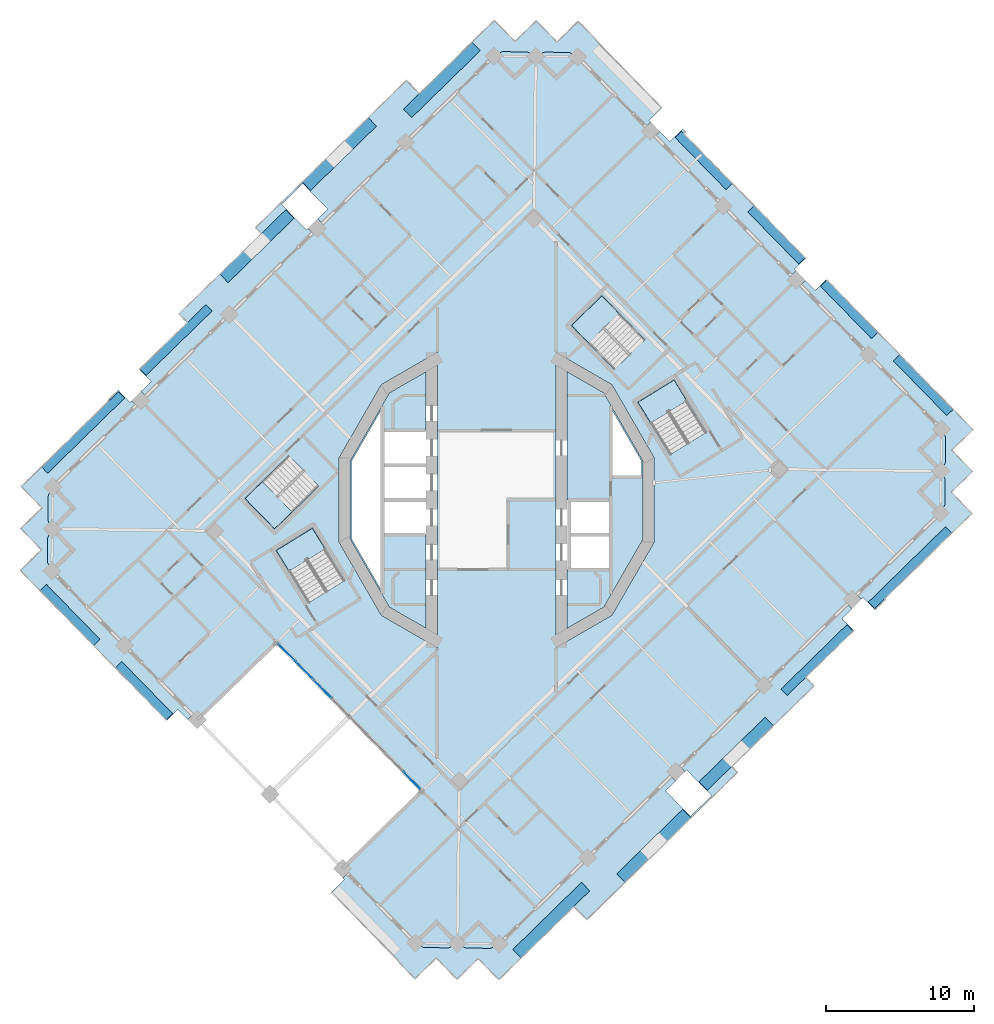
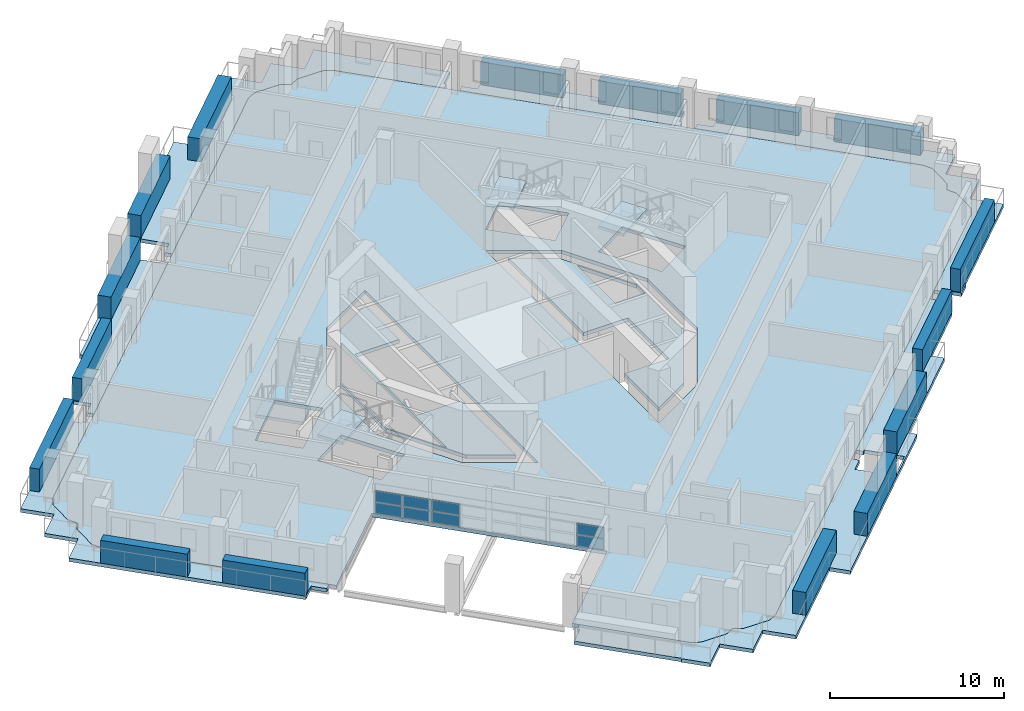
# One storey, part 5 of 19: 24 plates, 12 slabs, 5 elements without a shape of their own.
"""IFC4 building model written with IfcOpenShell, lengths in metres."""

from ifc_helpers import new_model, si_unit, direction, frame, origin, origin_2d, place, context, subcontext, project, spatial, polyline, rectangle, outline, extrude, material, layer, layer_set, type_object, element, aggregate, save


model = new_model("IFC4")

# Units and contexts
model_context = context("Model", 3, precision=1e-05, world=origin(), true_north=direction((0.0, 1.0)))
body_context = subcontext(model_context, "Body", "Model", "MODEL_VIEW")
ifc_project = project(units=[si_unit("LENGTHUNIT", "METRE"), si_unit("AREAUNIT", "SQUARE_METRE"), si_unit("VOLUMEUNIT", "CUBIC_METRE"), si_unit("PLANEANGLEUNIT", "RADIAN"), si_unit("MASSUNIT", "GRAM", prefix="KILO")], contexts=[model_context])

# Site, building, storey
site_placement = place(None, origin())
site = spatial("IfcSite", under=ifc_project, at=site_placement, CompositionType="ELEMENT")
building_placement = place(site_placement, origin())
building = spatial("IfcBuilding", under=site, at=building_placement, Name="Cantera Rosa Tower", CompositionType="ELEMENT")
storey_placement = place(building_placement, frame((0.0, 0.0, 241.39990234375)))
storey = spatial("IfcBuildingStorey", under=building, at=storey_placement, Name="L53", CompositionType="ELEMENT", Elevation=241.39990234375)

# Slabs
ifc_material_1 = material(Name="Concrete C35/45", Category="concrete")
ifc_layer_1 = layer(ifc_material_1, 0.25)
ifc_layer_set_1 = layer_set([ifc_layer_1], Name="COMPOSITE FLOOR SLAB 250 C35/45")
slab_type_1 = type_object("IfcSlabType", Name="COMPOSITE FLOOR SLAB 250 C35/45", PredefinedType="FLOOR", material=ifc_layer_set_1)
slab_1_placement = place(storey_placement, frame((0.0, 0.0, -0.25)))
element("IfcSlab", 1, at=slab_1_placement, inside=storey, type_object=slab_type_1, Name="SLAB L53 floor 1", PredefinedType="FLOOR", context=body_context, shape_type="SweptSolid", body=[
    extrude(outline(polyline([(-4.75, -2.35009765625), (-4.75, -8.660400390625), (-7.22900390625, -7.22900390625), (-9.875244140625, -2.64599609375), (-9.875244140625, 2.64599609375), (-7.22900390625, 7.22900390625), (-4.75, 8.660400390625), (-4.75, 4.699951171875), (-7.699951171875, 4.699951171875), (-7.699951171875, 2.35009765625), (-7.699951171875, 0.0), (-7.699951171875, -2.35009765625), (-4.75, -2.35009765625)]), holes=[polyline([(-7.800048828125, 6.040283203125), (-9.775146484375, 2.619384765625), (-9.775146484375, -2.619384765625), (-7.800048828125, -6.040283203125), (-7.800048828125, 6.040283203125)])]), origin(), (0.0, 0.0, 1.0), 0.25),
])
slab_2_placement = place(storey_placement, frame((0.0, 0.0, -0.25)))
element("IfcSlab", 2, at=slab_2_placement, inside=storey, type_object=slab_type_1, Name="SLAB L53 floor 2", PredefinedType="FLOOR", context=body_context, shape_type="SweptSolid", body=[
    extrude(outline(polyline([(-2.1279296875, -30.200439453125), (-2.154541015625, -30.1875), (-2.646484375, -29.917236328125), (-3.144287109375, -30.176025390625), (-3.171142578125, -30.188232421875), (-3.198974609375, -30.197998046875), (-3.2275390625, -30.20458984375), (-3.2568359375, -30.208740234375), (-3.2861328125, -30.209716796875), (-4.841796875, -30.191650390625), (-4.87109375, -30.18994140625), (-4.900146484375, -30.185302734375), (-4.9287109375, -30.177734375), (-4.956298828125, -30.16748046875), (-4.982666015625, -30.154541015625), (-5.474609375, -29.88427734375), (-10.38037109375, -24.863037109375), (-5.015869140625, -19.621826171875), (-14.827392578125, -9.5791015625), (-20.19189453125, -14.8203125), (-30.003662109375, -4.777587890625), (-30.262451171875, -4.27978515625), (-30.274658203125, -4.2529296875), (-30.2841796875, -4.22509765625), (-30.291015625, -4.196533203125), (-30.295166015625, -4.167236328125), (-30.296142578125, -4.137939453125), (-30.278076171875, -2.58251953125), (-30.2763671875, -2.552978515625), (-30.271484375, -2.52392578125), (-30.26416015625, -2.495361328125), (-30.25390625, -2.4677734375), (-30.240966796875, -2.44140625), (-29.970703125, -1.949462890625), (-30.2294921875, -1.451416015625), (-30.24169921875, -1.4248046875), (-30.25146484375, -1.39697265625), (-30.25830078125, -1.368408203125), (-30.26220703125, -1.339111328125), (-30.26318359375, -1.309814453125), (-30.2451171875, 0.245849609375), (-30.243408203125, 0.275146484375), (-30.23876953125, 0.30419921875), (-30.231201171875, 0.332763671875), (-30.220947265625, 0.3603515625), (-30.2080078125, 0.386962890625), (-29.937744140625, 0.878662109375), (-0.883056640625, 29.26513671875), (-0.181884765625, 29.9501953125), (0.316162109375, 30.208984375), (0.343017578125, 30.22119140625), (0.37060546875, 30.230712890625), (0.3994140625, 30.237548828125), (0.4287109375, 30.24169921875), (0.4580078125, 30.24267578125), (2.013427734375, 30.224609375), (2.04296875, 30.222900390625), (2.072021484375, 30.218017578125), (2.100341796875, 30.210693359375), (2.1279296875, 30.200439453125), (2.154541015625, 30.1875), (2.646484375, 29.917236328125), (3.144287109375, 30.176025390625), (3.171142578125, 30.188232421875), (3.198974609375, 30.197998046875), (3.2275390625, 30.20458984375), (3.2568359375, 30.208740234375), (3.2861328125, 30.209716796875), (4.841796875, 30.191650390625), (4.87109375, 30.18994140625), (4.900146484375, 30.185302734375), (4.9287109375, 30.177734375), (4.956298828125, 30.16748046875), (4.982666015625, 30.154541015625), (5.474609375, 29.88427734375), (30.003662109375, 4.777587890625), (30.262451171875, 4.27978515625), (30.274658203125, 4.2529296875), (30.2841796875, 4.22509765625), (30.291015625, 4.196533203125), (30.295166015625, 4.167236328125), (30.296142578125, 4.137939453125), (30.278076171875, 2.58251953125), (30.2763671875, 2.552978515625), (30.271484375, 2.52392578125), (30.26416015625, 2.495361328125), (30.25390625, 2.4677734375), (30.240966796875, 2.44140625), (29.970703125, 1.949462890625), (30.2294921875, 1.451416015625), (30.24169921875, 1.4248046875), (30.25146484375, 1.39697265625), (30.25830078125, 1.368408203125), (30.26220703125, 1.339111328125), (30.26318359375, 1.309814453125), (30.2451171875, -0.245849609375), (30.243408203125, -0.275146484375), (30.23876953125, -0.30419921875), (30.231201171875, -0.332763671875), (30.220947265625, -0.3603515625), (30.2080078125, -0.386962890625), (29.937744140625, -0.878662109375), (0.883056640625, -29.26513671875), (0.181884765625, -29.9501953125), (-0.316162109375, -30.208984375), (-0.343017578125, -30.22119140625), (-0.37060546875, -30.230712890625), (-0.3994140625, -30.237548828125), (-0.4287109375, -30.24169921875), (-0.4580078125, -30.24267578125), (-2.013427734375, -30.224609375), (-2.04296875, -30.222900390625), (-2.072021484375, -30.218017578125), (-2.100341796875, -30.210693359375), (-2.1279296875, -30.200439453125)]), holes=[polyline([(-10.258544921875, -5.433349609375), (-12.430908203125, -1.911376953125), (-14.8564453125, -3.407470703125), (-12.68408203125, -6.929443359375), (-10.258544921875, -5.433349609375)]), polyline([(-7.7783203125, 7.7783203125), (-10.625244140625, 2.846923828125), (-10.625244140625, -2.846923828125), (-7.7783203125, -7.7783203125), (-4.0, -9.95947265625), (-4.0, 9.95947265625), (-7.7783203125, 7.7783203125)]), polyline([(-14.0029296875, 2.9892578125), (-16.962890625, 0.097412109375), (-14.97119140625, -1.941162109375), (-12.01123046875, 0.95068359375), (-14.0029296875, 2.9892578125)]), polyline([(7.7783203125, -7.7783203125), (10.625244140625, -2.846923828125), (10.625244140625, 2.846923828125), (7.7783203125, 7.7783203125), (4.0, 9.95947265625), (4.0, -9.95947265625), (7.7783203125, -7.7783203125)]), polyline([(14.1416015625, 4.566650390625), (11.96923828125, 8.088623046875), (9.54345703125, 6.592529296875), (11.7158203125, 3.070556640625), (14.1416015625, 4.566650390625)]), polyline([(9.9892578125, 10.802978515625), (7.097412109375, 13.762939453125), (5.058837890625, 11.771240234375), (7.95068359375, 8.811279296875), (9.9892578125, 10.802978515625)])]), origin(), (0.0, 0.0, 1.0), 0.25),
])
slab_3_placement = place(storey_placement, frame((0.0, 0.0, -0.25)))
element("IfcSlab", 3, at=slab_3_placement, inside=storey, type_object=slab_type_1, Name="SLAB L53 floor 3", PredefinedType="FLOOR", context=body_context, shape_type="SweptSolid", body=[
    extrude(outline(polyline([(7.699951171875, -2.35009765625), (7.699951171875, 0.0), (4.75, 0.0), (4.75, 8.660400390625), (7.22900390625, 7.22900390625), (9.875244140625, 2.64599609375), (9.875244140625, -2.64599609375), (7.22900390625, -7.22900390625), (4.75, -8.660400390625), (4.75, -4.699951171875), (7.699951171875, -4.699951171875), (7.699951171875, -2.35009765625)]), holes=[polyline([(9.775146484375, 2.619384765625), (7.800048828125, 6.040283203125), (7.800048828125, 2.449951171875), (7.800048828125, 2.25), (7.800048828125, 1.639404296875), (9.775146484375, 1.639404296875), (9.775146484375, 2.619384765625)])]), origin(), (0.0, 0.0, 1.0), 0.25),
])

# Curtain wall, plates
ifc_material_2 = material(Name="Aluminium frame with clear glass", Category="aluminium")
curtain_wall_type = type_object("IfcCurtainWallType", Name="CW1 TERRACE POCKET GLAZING", PredefinedType="NOTDEFINED", material=ifc_material_2)
curtain_wall_placement = place(storey_placement, origin())
curtain_wall = element("IfcCurtainWall", 4, at=curtain_wall_placement, inside=storey, type_object=curtain_wall_type, Name="CW1 CW1", PredefinedType="NOTDEFINED")
ifc_material_3 = material(Name="Aluminium frame with clear glass", Category="aluminium")
ifc_layer_2 = layer(ifc_material_3, 0.028076171875)
ifc_layer_set_2 = layer_set([ifc_layer_2], Name="CW-PANEL POCKET")
plate_type_1 = type_object("IfcPlateType", Name="CW-PANEL POCKET", PredefinedType="CURTAIN_PANEL", material=ifc_layer_set_2)
plate_1_placement = place(storey_placement, frame((-14.127197265625, -10.295654296875, 0.06005859375), z_axis=(0.0, 0.0, 1.0), x_axis=(0.698831540376, -0.715286291058, 0.0)))
plate_1 = element("IfcPlate", 5, at=plate_1_placement, type_object=plate_type_1, Name="CW1 panel 1.1", PredefinedType="CURTAIN_PANEL", context=body_context, shape_type="SweptSolid", body=[
    extrude(rectangle(XDim=1.6337890625, YDim=0.028076171875, at=origin_2d()), origin(), (0.0, 0.0, 1.0), 0.761962890625),
])
plate_2_placement = place(storey_placement, frame((-14.127197265625, -10.295654296875, 0.88232421875), z_axis=(0.0, 0.0, 1.0), x_axis=(0.698831540376, -0.715286291058, 0.0)))
plate_2 = element("IfcPlate", 6, at=plate_2_placement, type_object=plate_type_1, Name="CW1 panel 1.2", PredefinedType="CURTAIN_PANEL", context=body_context, shape_type="SweptSolid", body=[
    extrude(rectangle(XDim=1.6337890625, YDim=0.028076171875, at=origin_2d()), origin(), (0.0, 0.0, 1.0), 0.761962890625),
])
plate_3_placement = place(storey_placement, frame((-12.93310546875, -11.51806640625, 0.06005859375), z_axis=(0.0, 0.0, 1.0), x_axis=(0.698831540376, -0.715286291058, 0.0)))
plate_3 = element("IfcPlate", 7, at=plate_3_placement, type_object=plate_type_1, Name="CW1 panel 2.1", PredefinedType="CURTAIN_PANEL", context=body_context, shape_type="SweptSolid", body=[
    extrude(rectangle(XDim=1.663818359375, YDim=0.028076171875, at=origin_2d()), origin(), (0.0, 0.0, 1.0), 0.761962890625),
])
plate_4_placement = place(storey_placement, frame((-12.93310546875, -11.51806640625, 0.88232421875), z_axis=(0.0, 0.0, 1.0), x_axis=(0.698831540376, -0.715286291058, 0.0)))
plate_4 = element("IfcPlate", 8, at=plate_4_placement, type_object=plate_type_1, Name="CW1 panel 2.2", PredefinedType="CURTAIN_PANEL", context=body_context, shape_type="SweptSolid", body=[
    extrude(rectangle(XDim=1.663818359375, YDim=0.028076171875, at=origin_2d()), origin(), (0.0, 0.0, 1.0), 0.761962890625),
])
plate_5_placement = place(storey_placement, frame((-11.728515625, -12.7509765625, 0.06005859375), z_axis=(0.0, 0.0, 1.0), x_axis=(0.698831540376, -0.715286291058, 0.0)))
plate_5 = element("IfcPlate", 9, at=plate_5_placement, type_object=plate_type_1, Name="CW1 panel 3.1", PredefinedType="CURTAIN_PANEL", context=body_context, shape_type="SweptSolid", body=[
    extrude(rectangle(XDim=1.663818359375, YDim=0.028076171875, at=origin_2d()), origin(), (0.0, 0.0, 1.0), 0.761962890625),
])
plate_6_placement = place(storey_placement, frame((-11.728515625, -12.7509765625, 0.88232421875), z_axis=(0.0, 0.0, 1.0), x_axis=(0.698831540376, -0.715286291058, 0.0)))
plate_6 = element("IfcPlate", 10, at=plate_6_placement, type_object=plate_type_1, Name="CW1 panel 3.2", PredefinedType="CURTAIN_PANEL", context=body_context, shape_type="SweptSolid", body=[
    extrude(rectangle(XDim=1.663818359375, YDim=0.028076171875, at=origin_2d()), origin(), (0.0, 0.0, 1.0), 0.761962890625),
])
plate_7_placement = place(storey_placement, frame((-5.7158203125, -18.905029296875, 0.06005859375), z_axis=(0.0, 0.0, 1.0), x_axis=(0.698831540376, -0.715286291058, 0.0)))
plate_7 = element("IfcPlate", 11, at=plate_7_placement, type_object=plate_type_1, Name="CW1 panel 8.1", PredefinedType="CURTAIN_PANEL", context=body_context, shape_type="SweptSolid", body=[
    extrude(rectangle(XDim=1.6337890625, YDim=0.028076171875, at=origin_2d()), origin(), (0.0, 0.0, 1.0), 0.761962890625),
])
plate_8_placement = place(storey_placement, frame((-5.7158203125, -18.905029296875, 0.88232421875), z_axis=(0.0, 0.0, 1.0), x_axis=(0.698831540376, -0.715286291058, 0.0)))
plate_8 = element("IfcPlate", 12, at=plate_8_placement, type_object=plate_type_1, Name="CW1 panel 8.2", PredefinedType="CURTAIN_PANEL", context=body_context, shape_type="SweptSolid", body=[
    extrude(rectangle(XDim=1.6337890625, YDim=0.028076171875, at=origin_2d()), origin(), (0.0, 0.0, 1.0), 0.761962890625),
])
aggregate(curtain_wall, [plate_1, plate_2, plate_3, plate_4, plate_5, plate_6, plate_7, plate_8])

# Slabs
ifc_material_4 = material(Name="Concrete C35/45", Category="concrete")
ifc_layer_3 = layer(ifc_material_4, 0.25)
ifc_layer_set_3 = layer_set([ifc_layer_3], Name="LOGGIA SLAB 250 C35/45")
slab_type_2 = type_object("IfcSlabType", Name="LOGGIA SLAB 250 C35/45", PredefinedType="FLOOR", material=ifc_layer_set_3)
slab_4_placement = place(storey_placement, frame((0.0, 0.0, -0.25)))
element("IfcSlab", 13, at=slab_4_placement, inside=storey, type_object=slab_type_2, Name="LOGGIA SLAB L53 1", PredefinedType="FLOOR", context=body_context, shape_type="SweptSolid", body=[
    extrude(outline(polyline([(-27.218994140625, -9.7744140625), (-31.076416015625, -5.825927734375), (-32.124755859375, -4.753173828125), (-31.0517578125, -3.704833984375), (-30.694091796875, -3.35546875), (-31.043701171875, -2.997802734375), (-32.091796875, -1.9248046875), (-31.018798828125, -0.876708984375), (-30.661376953125, -0.527099609375), (-31.0107421875, -0.16943359375), (-32.05908203125, 0.9033203125), (-30.986083984375, 1.95166015625), (-26.1650390625, 6.66162109375), (-26.22119140625, 6.718994140625), (-25.52001953125, 7.404052734375), (-24.730224609375, 6.595703125), (-24.622802734375, 6.700439453125), (-24.30859375, 6.37841796875), (-29.937744140625, 0.878662109375), (-30.2080078125, 0.386962890625), (-30.220947265625, 0.3603515625), (-30.231201171875, 0.332763671875), (-30.23876953125, 0.30419921875), (-30.243408203125, 0.275146484375), (-30.2451171875, 0.245849609375), (-30.26318359375, -1.309814453125), (-30.26220703125, -1.339111328125), (-30.25830078125, -1.368408203125), (-30.25146484375, -1.39697265625), (-30.24169921875, -1.4248046875), (-30.2294921875, -1.451416015625), (-29.970703125, -1.949462890625), (-30.240966796875, -2.44140625), (-30.25390625, -2.4677734375), (-30.26416015625, -2.495361328125), (-30.271484375, -2.52392578125), (-30.2763671875, -2.552978515625), (-30.278076171875, -2.58251953125), (-30.296142578125, -4.137939453125), (-30.295166015625, -4.167236328125), (-30.291015625, -4.196533203125), (-30.2841796875, -4.22509765625), (-30.274658203125, -4.2529296875), (-30.262451171875, -4.27978515625), (-30.003662109375, -4.777587890625), (-20.506591796875, -14.49853515625), (-20.828369140625, -14.81298828125), (-21.4921875, -14.13330078125), (-22.243408203125, -14.8671875), (-22.313232421875, -14.795654296875), (-25.12255859375, -11.920166015625), (-27.218994140625, -9.7744140625)])), origin(), (0.0, 0.0, 1.0), 0.25),
])
slab_5_placement = place(storey_placement, frame((0.0, 0.0, -0.25)))
element("IfcSlab", 14, at=slab_5_placement, inside=storey, type_object=slab_type_2, Name="LOGGIA SLAB L53 2", PredefinedType="FLOOR", context=body_context, shape_type="SweptSolid", body=[
    extrude(outline(polyline([(-15.864990234375, 17.969970703125), (-16.255859375, 18.3701171875), (-6.08447265625, 28.307373046875), (-5.2109375, 27.413330078125), (-1.369873046875, 31.166015625), (-0.15380859375, 32.35400390625), (1.0341796875, 31.13818359375), (1.243896484375, 30.923583984375), (1.45849609375, 31.13330078125), (2.67431640625, 32.3212890625), (3.8623046875, 31.105224609375), (4.072021484375, 30.890625), (5.502685546875, 32.288330078125), (6.690673828125, 31.072265625), (6.663330078125, 31.0458984375), (11.14990234375, 26.45361328125), (10.282958984375, 25.606689453125), (10.3876953125, 25.499267578125), (10.06591796875, 25.184814453125), (5.474609375, 29.88427734375), (4.982666015625, 30.154541015625), (4.956298828125, 30.16748046875), (4.9287109375, 30.177734375), (4.900146484375, 30.185302734375), (4.87109375, 30.18994140625), (4.841796875, 30.191650390625), (3.2861328125, 30.209716796875), (3.2568359375, 30.208740234375), (3.2275390625, 30.20458984375), (3.198974609375, 30.197998046875), (3.171142578125, 30.188232421875), (3.144287109375, 30.176025390625), (2.646484375, 29.917236328125), (2.154541015625, 30.1875), (2.1279296875, 30.200439453125), (2.100341796875, 30.210693359375), (2.072021484375, 30.218017578125), (2.04296875, 30.222900390625), (2.013427734375, 30.224609375), (0.4580078125, 30.24267578125), (0.4287109375, 30.24169921875), (0.3994140625, 30.237548828125), (0.37060546875, 30.230712890625), (0.343017578125, 30.22119140625), (0.316162109375, 30.208984375), (-0.181884765625, 29.9501953125), (-0.883056640625, 29.26513671875), (-11.76220703125, 18.635986328125), (-12.076904296875, 18.9580078125), (-11.397216796875, 19.621826171875), (-13.074462890625, 21.33837890625), (-14.505126953125, 19.94091796875), (-12.827880859375, 18.22412109375), (-12.720703125, 18.3291015625), (-12.406005859375, 18.007080078125), (-23.664794921875, 7.007568359375), (-23.979248046875, 7.329345703125), (-23.2998046875, 7.9931640625), (-24.089599609375, 8.8017578125), (-20.849609375, 11.967041015625), (-21.416015625, 12.546630859375), (-15.864990234375, 17.969970703125)])), origin(), (0.0, 0.0, 1.0), 0.25),
])
slab_6_placement = place(storey_placement, frame((0.0, 0.0, -0.25)))
element("IfcSlab", 15, at=slab_6_placement, inside=storey, type_object=slab_type_2, Name="LOGGIA SLAB L53 3", PredefinedType="FLOOR", context=body_context, shape_type="SweptSolid", body=[
    extrude(outline(polyline([(1.369873046875, -31.166015625), (0.15380859375, -32.35400390625), (-1.0341796875, -31.13818359375), (-1.243896484375, -30.923583984375), (-1.45849609375, -31.13330078125), (-2.67431640625, -32.3212890625), (-3.8623046875, -31.105224609375), (-4.072021484375, -30.890625), (-5.502685546875, -32.288330078125), (-6.690673828125, -31.072265625), (-6.663330078125, -31.0458984375), (-11.14990234375, -26.45361328125), (-10.282958984375, -25.606689453125), (-10.3876953125, -25.499267578125), (-10.06591796875, -25.184814453125), (-5.474609375, -29.88427734375), (-4.982666015625, -30.154541015625), (-4.956298828125, -30.16748046875), (-4.9287109375, -30.177734375), (-4.900146484375, -30.185302734375), (-4.87109375, -30.18994140625), (-4.841796875, -30.191650390625), (-3.2861328125, -30.209716796875), (-3.2568359375, -30.208740234375), (-3.2275390625, -30.20458984375), (-3.198974609375, -30.197998046875), (-3.171142578125, -30.188232421875), (-3.144287109375, -30.176025390625), (-2.646484375, -29.917236328125), (-2.154541015625, -30.1875), (-2.1279296875, -30.200439453125), (-2.100341796875, -30.210693359375), (-2.072021484375, -30.218017578125), (-2.04296875, -30.222900390625), (-2.013427734375, -30.224609375), (-0.4580078125, -30.24267578125), (-0.4287109375, -30.24169921875), (-0.3994140625, -30.237548828125), (-0.37060546875, -30.230712890625), (-0.343017578125, -30.22119140625), (-0.316162109375, -30.208984375), (0.181884765625, -29.9501953125), (0.883056640625, -29.26513671875), (11.76220703125, -18.635986328125), (12.076904296875, -18.9580078125), (11.397216796875, -19.621826171875), (13.074462890625, -21.33837890625), (14.505126953125, -19.94091796875), (12.827880859375, -18.22412109375), (12.720703125, -18.3291015625), (12.406005859375, -18.007080078125), (23.664794921875, -7.007568359375), (23.979248046875, -7.329345703125), (23.2998046875, -7.9931640625), (24.089599609375, -8.8017578125), (20.849609375, -11.967041015625), (21.416015625, -12.546630859375), (15.864990234375, -17.969970703125), (16.255859375, -18.3701171875), (6.08447265625, -28.307373046875), (5.2109375, -27.413330078125), (1.369873046875, -31.166015625)])), origin(), (0.0, 0.0, 1.0), 0.25),
])
slab_7_placement = place(storey_placement, frame((0.0, 0.0, -0.25)))
element("IfcSlab", 16, at=slab_7_placement, inside=storey, type_object=slab_type_2, Name="LOGGIA SLAB L53 4", PredefinedType="FLOOR", context=body_context, shape_type="SweptSolid", body=[
    extrude(outline(polyline([(15.310791015625, 21.962890625), (17.407470703125, 19.81689453125), (20.216796875, 16.94140625), (20.845703125, 16.2978515625), (20.094482421875, 15.56396484375), (20.199462890625, 15.456787109375), (19.87744140625, 15.14208984375), (10.69482421875, 24.541015625), (11.016845703125, 24.855712890625), (11.6806640625, 24.176025390625), (12.547607421875, 25.023193359375), (12.730712890625, 24.835693359375), (12.61474609375, 24.722412109375), (15.310791015625, 21.962890625)])), origin(), (0.0, 0.0, 1.0), 0.25),
])
slab_8_placement = place(storey_placement, frame((0.0, 0.0, -0.25)))
element("IfcSlab", 17, at=slab_8_placement, inside=storey, type_object=slab_type_2, Name="LOGGIA SLAB L53 5", PredefinedType="FLOOR", context=body_context, shape_type="SweptSolid", body=[
    extrude(outline(polyline([(27.218994140625, 9.7744140625), (31.076416015625, 5.825927734375), (32.124755859375, 4.753173828125), (31.0517578125, 3.704833984375), (30.694091796875, 3.35546875), (31.043701171875, 2.997802734375), (32.091796875, 1.9248046875), (31.018798828125, 0.876708984375), (30.661376953125, 0.527099609375), (31.0107421875, 0.16943359375), (32.05908203125, -0.9033203125), (30.986083984375, -1.95166015625), (26.1650390625, -6.66162109375), (26.22119140625, -6.718994140625), (25.52001953125, -7.404052734375), (24.730224609375, -6.595703125), (24.622802734375, -6.700439453125), (24.30859375, -6.37841796875), (29.937744140625, -0.878662109375), (30.2080078125, -0.386962890625), (30.220947265625, -0.3603515625), (30.231201171875, -0.332763671875), (30.23876953125, -0.30419921875), (30.243408203125, -0.275146484375), (30.2451171875, -0.245849609375), (30.26318359375, 1.309814453125), (30.26220703125, 1.339111328125), (30.25830078125, 1.368408203125), (30.25146484375, 1.39697265625), (30.24169921875, 1.4248046875), (30.2294921875, 1.451416015625), (29.970703125, 1.949462890625), (30.240966796875, 2.44140625), (30.25390625, 2.4677734375), (30.26416015625, 2.495361328125), (30.271484375, 2.52392578125), (30.2763671875, 2.552978515625), (30.278076171875, 2.58251953125), (30.296142578125, 4.137939453125), (30.295166015625, 4.167236328125), (30.291015625, 4.196533203125), (30.2841796875, 4.22509765625), (30.274658203125, 4.2529296875), (30.262451171875, 4.27978515625), (30.003662109375, 4.777587890625), (20.506591796875, 14.49853515625), (20.828369140625, 14.81298828125), (21.4921875, 14.13330078125), (22.243408203125, 14.8671875), (22.313232421875, 14.795654296875), (25.12255859375, 11.920166015625), (27.218994140625, 9.7744140625)])), origin(), (0.0, 0.0, 1.0), 0.25),
])

# Plates
ifc_material_5 = material(Name="Cantera stone planter with soil", Category="masonry")
plate_type_2 = type_object("IfcPlateType", Name="PLANTER 600", PredefinedType="USERDEFINED", material=ifc_material_5)
plate_9_placement = place(storey_placement, frame((28.77587890625, 7.75146484375, 0.0), z_axis=(0.0, 0.0, 1.0), x_axis=(-0.698831540364, 0.71528629107, 0.0)))
element("IfcPlate", 18, at=plate_9_placement, inside=storey, type_object=plate_type_2, Name="PLANTER L53-01", ObjectType="PLANTER", PredefinedType="USERDEFINED", context=body_context, shape_type="SweptSolid", body=[
    extrude(rectangle(XDim=5.169921875, YDim=0.60009765625, at=origin_2d()), origin(), (0.0, 0.0, 1.0), 1.60009765625),
])
for number, where, z_axis, x_axis, name in (
    (19, (23.78271484375, 12.8623046875, 0.0), (0.0, 0.0, 1.0), (-0.698831540364, 0.71528629107, 0.0), "PLANTER L53-02"),
    (20, (18.876953125, 17.883544921875, 0.0), (0.0, 0.0, 1.0), (-0.698831540364, 0.71528629107, 0.0), "PLANTER L53-03"),
    (21, (13.97119140625, 22.90478515625, 0.0), (0.0, 0.0, 1.0), (-0.698831540364, 0.71528629107, 0.0), "PLANTER L53-04"),
):
    element("IfcPlate", number, at=place(storey_placement, frame(where, z_axis=z_axis, x_axis=x_axis)), inside=storey, type_object=plate_type_2, Name=name, ObjectType="PLANTER", PredefinedType="USERDEFINED", context=body_context, shape_type="SweptSolid", body=[
        extrude(rectangle(XDim=4.919921875, YDim=0.60009765625, at=origin_2d()), origin(), (0.0, 0.0, 1.0), 1.60009765625),
    ])
plate_10_placement = place(storey_placement, frame((-21.61962890625, 10.79541015625, 0.0), z_axis=(0.0, 0.0, 1.0), x_axis=(-0.71528629107, -0.698831540364, 0.0)))
element("IfcPlate", 22, at=plate_10_placement, inside=storey, type_object=plate_type_2, Name="PLANTER L53-09", ObjectType="PLANTER", PredefinedType="USERDEFINED", context=body_context, shape_type="SweptSolid", body=[
    extrude(rectangle(XDim=6.219970703125, YDim=0.60009765625, at=origin_2d()), origin(), (0.0, 0.0, 1.0), 1.60009765625),
])
plate_11_placement = place(storey_placement, frame((-27.89013671875, 4.556884765625, 0.0), z_axis=(0.0, 0.0, 1.0), x_axis=(-0.71528629107, -0.698831540364, 0.0)))
element("IfcPlate", 23, at=plate_11_placement, inside=storey, type_object=plate_type_2, Name="PLANTER L53-10", ObjectType="PLANTER", PredefinedType="USERDEFINED", context=body_context, shape_type="SweptSolid", body=[
    extrude(rectangle(XDim=7.27001953125, YDim=0.60009765625, at=origin_2d()), origin(), (0.0, 0.0, 1.0), 1.60009765625),
])
plate_12_placement = place(storey_placement, frame((-28.77587890625, -7.75146484375, 0.0), z_axis=(0.0, 0.0, 1.0), x_axis=(0.698831540364, -0.71528629107, 0.0)))
element("IfcPlate", 24, at=plate_12_placement, inside=storey, type_object=plate_type_2, Name="PLANTER L53-11", ObjectType="PLANTER", PredefinedType="USERDEFINED", context=body_context, shape_type="SweptSolid", body=[
    extrude(rectangle(XDim=5.169921875, YDim=0.60009765625, at=origin_2d()), origin(), (0.0, 0.0, 1.0), 1.60009765625),
])
plate_13_placement = place(storey_placement, frame((-23.78271484375, -12.8623046875, 0.0), z_axis=(0.0, 0.0, 1.0), x_axis=(0.698831540364, -0.71528629107, 0.0)))
element("IfcPlate", 25, at=plate_13_placement, inside=storey, type_object=plate_type_2, Name="PLANTER L53-12", ObjectType="PLANTER", PredefinedType="USERDEFINED", context=body_context, shape_type="SweptSolid", body=[
    extrude(rectangle(XDim=4.919921875, YDim=0.60009765625, at=origin_2d()), origin(), (0.0, 0.0, 1.0), 1.60009765625),
])
plate_14_placement = place(storey_placement, frame((21.61962890625, -10.79541015625, 0.0), z_axis=(0.0, 0.0, 1.0), x_axis=(0.71528629107, 0.698831540364, 0.0)))
element("IfcPlate", 26, at=plate_14_placement, inside=storey, type_object=plate_type_2, Name="PLANTER L53-19", ObjectType="PLANTER", PredefinedType="USERDEFINED", context=body_context, shape_type="SweptSolid", body=[
    extrude(rectangle(XDim=6.219970703125, YDim=0.60009765625, at=origin_2d()), origin(), (0.0, 0.0, 1.0), 1.60009765625),
])
plate_15_placement = place(storey_placement, frame((27.89013671875, -4.556884765625, 0.0), z_axis=(0.0, 0.0, 1.0), x_axis=(0.71528629107, 0.698831540364, 0.0)))
element("IfcPlate", 27, at=plate_15_placement, inside=storey, type_object=plate_type_2, Name="PLANTER L53-20", ObjectType="PLANTER", PredefinedType="USERDEFINED", context=body_context, shape_type="SweptSolid", body=[
    extrude(rectangle(XDim=7.27001953125, YDim=0.60009765625, at=origin_2d()), origin(), (0.0, 0.0, 1.0), 1.60009765625),
])
ifc_material_6 = material(Name="Cantera stone planter with soil", Category="masonry")
plate_type_3 = type_object("IfcPlateType", Name="PLANTER 800", PredefinedType="USERDEFINED", material=ifc_material_6)
plate_16_placement = place(storey_placement, frame((-3.6904296875, 28.33984375, 0.0), z_axis=(0.0, 0.0, 1.0), x_axis=(-0.71528629107, -0.698831540364, 0.0)))
element("IfcPlate", 28, at=plate_16_placement, inside=storey, type_object=plate_type_3, Name="PLANTER L53-06", ObjectType="PLANTER", PredefinedType="USERDEFINED", context=body_context, shape_type="SweptSolid", body=[
    extrude(rectangle(XDim=6.469970703125, YDim=0.800048828125, at=origin_2d()), origin(), (0.0, 0.0, 1.0), 1.60009765625),
])
for number, where, z_axis, x_axis, name in (
    (29, (-10.6044921875, 23.332275390625, 0.0), (0.0, 0.0, 1.0), (-0.71528629107, -0.698831540364, 0.0), "PLANTER L53-07"),
    (30, (-16.164794921875, 17.11767578125, 0.0), (0.0, 0.0, 1.0), (-0.71528629107, -0.698831540364, 0.0), "PLANTER L53-08"),
):
    element("IfcPlate", number, at=place(storey_placement, frame(where, z_axis=z_axis, x_axis=x_axis)), inside=storey, type_object=plate_type_3, Name=name, ObjectType="PLANTER", PredefinedType="USERDEFINED", context=body_context, shape_type="SweptSolid", body=[
        extrude(rectangle(XDim=6.219970703125, YDim=0.800048828125, at=origin_2d()), origin(), (0.0, 0.0, 1.0), 1.60009765625),
    ])
plate_17_placement = place(storey_placement, frame((3.6904296875, -28.33984375, 0.0), z_axis=(0.0, 0.0, 1.0), x_axis=(0.71528629107, 0.698831540364, 0.0)))
element("IfcPlate", 31, at=plate_17_placement, inside=storey, type_object=plate_type_3, Name="PLANTER L53-16", ObjectType="PLANTER", PredefinedType="USERDEFINED", context=body_context, shape_type="SweptSolid", body=[
    extrude(rectangle(XDim=6.469970703125, YDim=0.800048828125, at=origin_2d()), origin(), (0.0, 0.0, 1.0), 1.60009765625),
])
for number, where, z_axis, x_axis, name in (
    (32, (10.6044921875, -23.332275390625, 0.0), (0.0, 0.0, 1.0), (0.71528629107, 0.698831540364, 0.0), "PLANTER L53-17"),
    (33, (16.164794921875, -17.11767578125, 0.0), (0.0, 0.0, 1.0), (0.71528629107, 0.698831540364, 0.0), "PLANTER L53-18"),
):
    element("IfcPlate", number, at=place(storey_placement, frame(where, z_axis=z_axis, x_axis=x_axis)), inside=storey, type_object=plate_type_3, Name=name, ObjectType="PLANTER", PredefinedType="USERDEFINED", context=body_context, shape_type="SweptSolid", body=[
        extrude(rectangle(XDim=6.219970703125, YDim=0.800048828125, at=origin_2d()), origin(), (0.0, 0.0, 1.0), 1.60009765625),
    ])

# Stair, slab
ifc_material_7 = material(Name="Concrete C35/45", Category="concrete")
stair_type = type_object("IfcStairType", Name="EXIT STAIR 1350 DOGLEG", PredefinedType="HALF_TURN_STAIR", material=ifc_material_7)
stair_1_placement = place(storey_placement, origin())
stair_1 = element("IfcStair", 34, at=stair_1_placement, inside=storey, type_object=stair_type, Name="L53 ST-41", PredefinedType="HALF_TURN_STAIR")
ifc_material_8 = material(Name="Concrete C35/45", Category="concrete")
ifc_layer_4 = layer(ifc_material_8, 0.199951171875)
ifc_layer_set_4 = layer_set([ifc_layer_4], Name="STAIR LANDING 200")
slab_type_3 = type_object("IfcSlabType", Name="STAIR LANDING 200", PredefinedType="LANDING", material=ifc_layer_set_4)
slab_9_placement = place(storey_placement, frame((0.0, 0.0, 1.60009765625)))
slab_9 = element("IfcSlab", 35, at=slab_9_placement, type_object=slab_type_3, Name="ST-41 landing 1", PredefinedType="LANDING", context=body_context, shape_type="SweptSolid", body=[
    extrude(outline(polyline([(12.8310546875, 6.691162109375), (11.96923828125, 8.088623046875), (9.54345703125, 6.592529296875), (10.405517578125, 5.19482421875), (12.8310546875, 6.691162109375)])), origin(), (0.0, 0.0, 1.0), 0.199951171875),
])
aggregate(stair_1, [slab_9])

stair_2_placement = place(storey_placement, origin())
stair_2 = element("IfcStair", 36, at=stair_2_placement, inside=storey, type_object=stair_type, Name="L53 ST-42", PredefinedType="HALF_TURN_STAIR")
slab_10_placement = place(storey_placement, frame((0.0, 0.0, 1.60009765625)))
slab_10 = element("IfcSlab", 37, at=slab_10_placement, type_object=slab_type_3, Name="ST-42 landing 1", PredefinedType="LANDING", context=body_context, shape_type="SweptSolid", body=[
    extrude(outline(polyline([(8.244873046875, 12.58837890625), (7.097412109375, 13.762939453125), (5.058837890625, 11.771240234375), (6.206298828125, 10.5966796875), (8.244873046875, 12.58837890625)])), origin(), (0.0, 0.0, 1.0), 0.199951171875),
])
aggregate(stair_2, [slab_10])

stair_3_placement = place(storey_placement, origin())
stair_3 = element("IfcStair", 38, at=stair_3_placement, inside=storey, type_object=stair_type, Name="L53 ST-43", PredefinedType="HALF_TURN_STAIR")
slab_11_placement = place(storey_placement, frame((0.0, 0.0, 1.60009765625)))
slab_11 = element("IfcSlab", 39, at=slab_11_placement, type_object=slab_type_3, Name="ST-43 landing 1", PredefinedType="LANDING", context=body_context, shape_type="SweptSolid", body=[
    extrude(outline(polyline([(-15.788330078125, 1.244873046875), (-16.962890625, 0.097412109375), (-14.97119140625, -1.941162109375), (-13.796630859375, -0.793701171875), (-15.788330078125, 1.244873046875)])), origin(), (0.0, 0.0, 1.0), 0.199951171875),
])
aggregate(stair_3, [slab_11])

stair_4_placement = place(storey_placement, origin())
stair_4 = element("IfcStair", 40, at=stair_4_placement, inside=storey, type_object=stair_type, Name="L53 ST-44", PredefinedType="HALF_TURN_STAIR")
slab_12_placement = place(storey_placement, frame((0.0, 0.0, 1.60009765625)))
slab_12 = element("IfcSlab", 41, at=slab_12_placement, type_object=slab_type_3, Name="ST-44 landing 1", PredefinedType="LANDING", context=body_context, shape_type="SweptSolid", body=[
    extrude(outline(polyline([(-11.56884765625, -3.308837890625), (-12.430908203125, -1.911376953125), (-14.8564453125, -3.407470703125), (-13.99462890625, -4.80517578125), (-11.56884765625, -3.308837890625)])), origin(), (0.0, 0.0, 1.0), 0.199951171875),
])
aggregate(stair_4, [slab_12])

save(model, "model.ifc")
